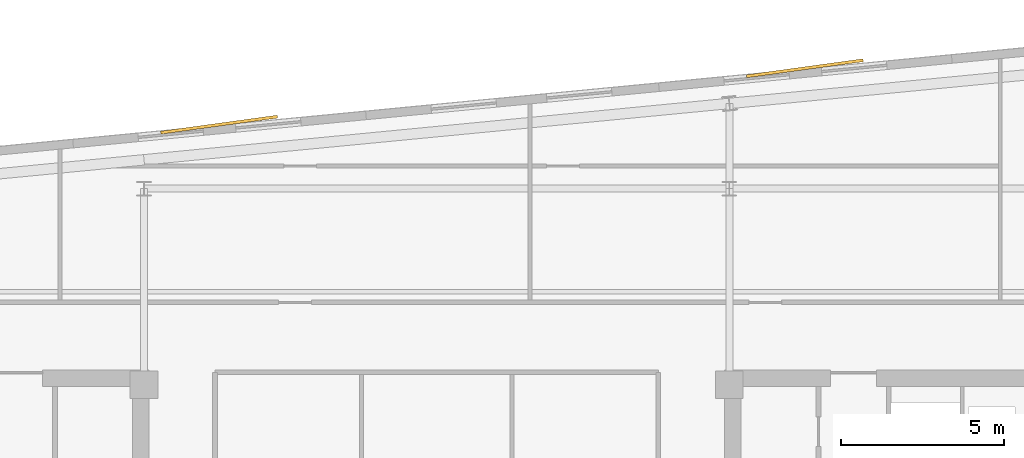
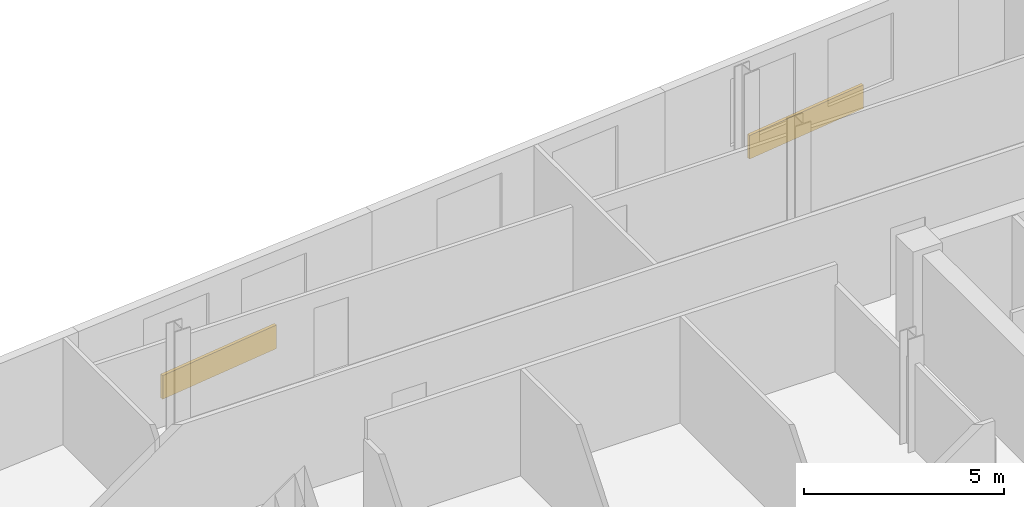
# One storey, part 9 of 9: 2 coverings.
"""IFC4 building model written with IfcOpenShell, lengths in metres."""

from ifc_helpers import new_model, si_unit, direction, frame, origin, origin_2d, place, context, subcontext, project, spatial, rectangle, extrude, material, layer, layer_set, type_object, element, save


model = new_model("IFC4")

# Units and contexts
model_context = context("Model", 3, precision=1e-05, world=origin(), true_north=direction((0.0, 1.0)))
body_context = subcontext(model_context, "Body", "Model", "MODEL_VIEW")
ifc_project = project(units=[si_unit("LENGTHUNIT", "METRE"), si_unit("AREAUNIT", "SQUARE_METRE"), si_unit("VOLUMEUNIT", "CUBIC_METRE"), si_unit("PLANEANGLEUNIT", "RADIAN"), si_unit("MASSUNIT", "GRAM", prefix="KILO")], contexts=[model_context])

# Site, building, storey
site_placement = place(None, origin())
site = spatial("IfcSite", under=ifc_project, at=site_placement, CompositionType="ELEMENT")
building_placement = place(site_placement, origin())
building = spatial("IfcBuilding", under=site, at=building_placement, Name="Velakula Bourse", CompositionType="ELEMENT")
storey_placement = place(building_placement, frame((0.0, 0.0, 272.39990234375)))
storey = spatial("IfcBuildingStorey", under=building, at=storey_placement, Name="L74", CompositionType="ELEMENT", Elevation=272.39990234375)

# Coverings
ifc_material = material(Name="Buff kilned clay facing brick masonry", Category="masonry")
ifc_layer = layer(ifc_material, 0.074951171875, Name="Buff kilned clay facing brick masonry", Category="masonry")
ifc_layer_set = layer_set([ifc_layer], Name="Buff kilned clay facing brick masonry")
covering_type = type_object("IfcCoveringType", Name="COV-BRK-SPN-75", PredefinedType="CLADDING", material=ifc_layer_set)
for number, where, z_axis, x_axis, name in (
    (1, (-6.655029296875, 16.555908203125, 0.0), (0.0, 0.0, 1.0), (0.990629029058, 0.136580111242, 0.0), "L74 Folded Brick Facade Cladding Panel N-B2"),
    (2, (11.26220703125, 18.281005859375, 0.0), (0.0, 0.0, 1.0), (0.990629029058, 0.136580111242, 0.0), "L74 Folded Brick Facade Cladding Panel N-B4"),
):
    element("IfcCovering", number, at=place(storey_placement, frame(where, z_axis=z_axis, x_axis=x_axis)), inside=storey, type_object=covering_type, Name=name, PredefinedType="CLADDING", context=body_context, shape_type="SweptSolid", body=[
        extrude(rectangle(XDim=3.60009765625, YDim=0.090087890625, at=origin_2d()), origin(), (0.0, 0.0, 1.0), 0.719970703125),
    ])

save(model, "model.ifc")
